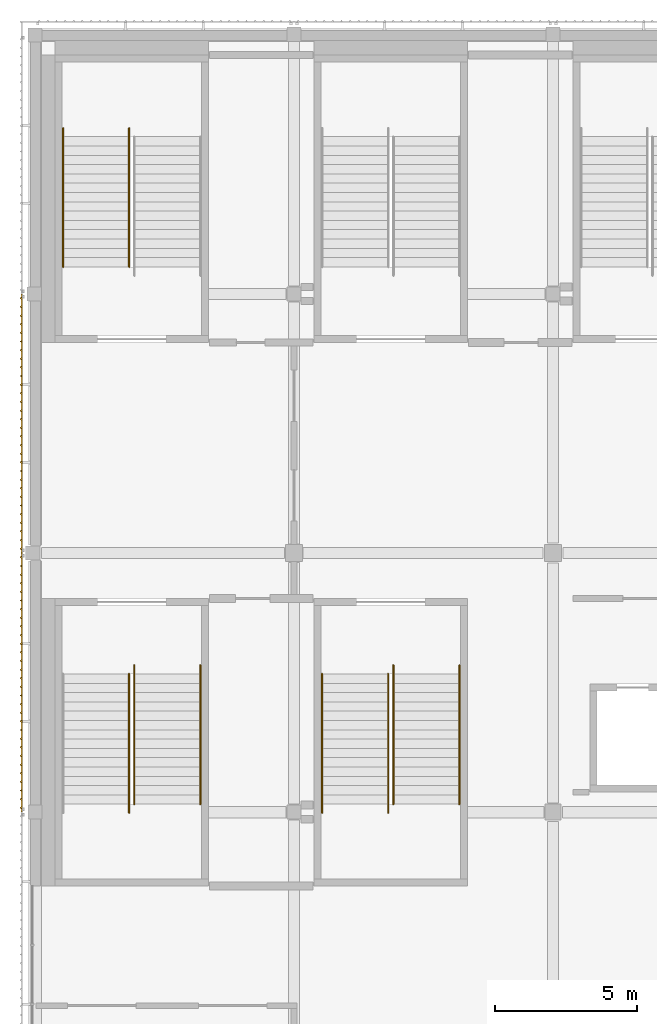
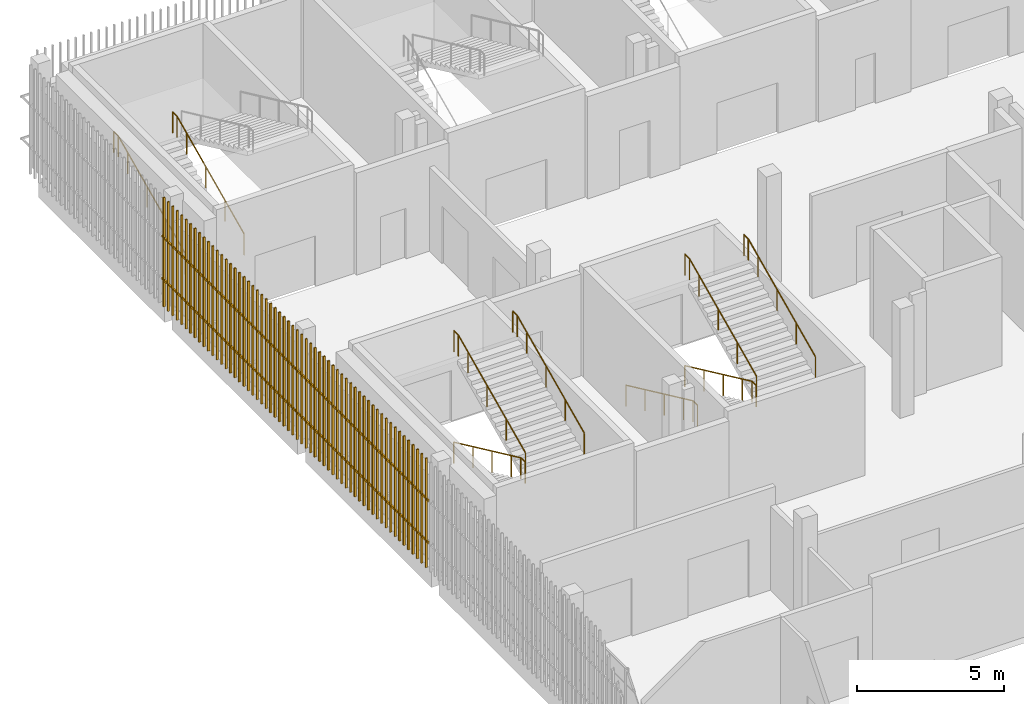
# One storey, part 110 of 124: 9 railings, 2 shading devices.
"""IFC4 building model written with IfcOpenShell, lengths in metres."""

from ifc_helpers import new_model, si_unit, direction, frame, origin, origin_2d, place, context, subcontext, project, spatial, rectangle, circle, extrude, material, type_object, element, save


model = new_model("IFC4")

# Units and contexts
model_context = context("Model", 3, precision=1e-05, world=origin(), true_north=direction((0.0, 1.0)))
body_context = subcontext(model_context, "Body", "Model", "MODEL_VIEW")
ifc_project = project(units=[si_unit("LENGTHUNIT", "METRE"), si_unit("AREAUNIT", "SQUARE_METRE"), si_unit("VOLUMEUNIT", "CUBIC_METRE"), si_unit("PLANEANGLEUNIT", "RADIAN"), si_unit("MASSUNIT", "GRAM", prefix="KILO")], contexts=[model_context])

# Site, building, storey
site_placement = place(None, origin())
site = spatial("IfcSite", under=ifc_project, at=site_placement, CompositionType="ELEMENT")
building_placement = place(site_placement, origin())
building = spatial("IfcBuilding", under=site, at=building_placement, Name="Shirokan Park Arena", CompositionType="ELEMENT")
storey_placement = place(building_placement, frame((0.0, 0.0, 20.02001953125)))
storey = spatial("IfcBuildingStorey", under=building, at=storey_placement, Name="L04", CompositionType="ELEMENT", Elevation=20.02001953125)

# Railings
ifc_material_1 = material(Name="Stainless steel", Category="steel")
railing_type = type_object("IfcRailingType", Name="Stair handrail 900", PredefinedType="HANDRAIL", material=ifc_material_1)
railing_1_placement = place(storey_placement, frame((0.989990234375, 101.050048828125, 0.151611328125)))
element("IfcRailing", 1, at=railing_1_placement, inside=storey, type_object=railing_type, Name="Handrail Exit Stair 4.A L04 to L05", PredefinedType="HANDRAIL", context=body_context, shape_type="SweptSolid", body=[
    extrude(circle(Radius=0.02392578125, at=origin_2d()), frame((0.0, 0.0, 0.8759765625), z_axis=(0.0, 0.906999720516, 0.421131222998), x_axis=(-1.0, 0.0, 0.0)), (0.0, 0.0, 1.0), 1.440673828125),
    extrude(circle(Radius=0.02392578125, at=origin_2d()), frame((0.0, 1.306640625, 1.482421875), z_axis=(0.0, 0.907029769225, 0.421066500378), x_axis=(-1.0, 0.0, 0.0)), (0.0, 0.0, 1.0), 1.44091796875),
    extrude(circle(Radius=0.02392578125, at=origin_2d()), frame((0.0, 2.613525390625, 2.08935546875), z_axis=(0.0, 0.907029769225, 0.421066500378), x_axis=(-1.0, 0.0, 0.0)), (0.0, 0.0, 1.0), 1.44091796875),
    extrude(circle(Radius=0.02392578125, at=origin_2d()), frame((0.0, 3.92041015625, 2.69580078125), z_axis=(0.0, 0.907064445915, 0.420991794405), x_axis=(-1.0, 0.0, 0.0)), (0.0, 0.0, 1.0), 0.72021484375),
    extrude(circle(Radius=0.02392578125, at=origin_2d()), frame((0.0, 4.57373046875, 2.9990234375), z_axis=(0.0, 1.0, 0.0), x_axis=(-1.0, 0.0, 0.0)), (0.0, 0.0, 1.0), 0.300048828125),
    extrude(circle(Radius=0.02099609375, at=origin_2d()), origin(), (0.0, 0.0, 1.0), 0.851806640625),
    extrude(circle(Radius=0.02099609375, at=origin_2d()), frame((0.0, 1.306640625, 0.606689453125)), (0.0, 0.0, 1.0), 0.851806640625),
    extrude(circle(Radius=0.02099609375, at=origin_2d()), frame((0.0, 2.613525390625, 1.21337890625)), (0.0, 0.0, 1.0), 0.851806640625),
    extrude(circle(Radius=0.02099609375, at=origin_2d()), frame((0.0, 3.92041015625, 1.820068359375)), (0.0, 0.0, 1.0), 0.851806640625),
    extrude(circle(Radius=0.02099609375, at=origin_2d()), frame((0.0, 4.57373046875, 2.123291015625)), (0.0, 0.0, 1.0), 0.851806640625),
    extrude(circle(Radius=0.02099609375, at=origin_2d()), frame((0.0, 4.873779296875, 2.123291015625)), (0.0, 0.0, 1.0), 0.851806640625),
])
railing_2_placement = place(storey_placement, frame((3.31005859375, 101.050048828125, 0.151611328125)))
element("IfcRailing", 2, at=railing_2_placement, inside=storey, type_object=railing_type, Name="Handrail Exit Stair 4.A L04 to L05", PredefinedType="HANDRAIL", context=body_context, shape_type="SweptSolid", body=[
    extrude(circle(Radius=0.02392578125, at=origin_2d()), frame((0.0, 0.0, 0.8759765625), z_axis=(0.0, 0.906999720516, 0.421131222998), x_axis=(-1.0, 0.0, 0.0)), (0.0, 0.0, 1.0), 1.440673828125),
    extrude(circle(Radius=0.02392578125, at=origin_2d()), frame((0.0, 1.306640625, 1.482421875), z_axis=(0.0, 0.907029769225, 0.421066500378), x_axis=(-1.0, 0.0, 0.0)), (0.0, 0.0, 1.0), 1.44091796875),
    extrude(circle(Radius=0.02392578125, at=origin_2d()), frame((0.0, 2.613525390625, 2.08935546875), z_axis=(0.0, 0.907029769225, 0.421066500378), x_axis=(-1.0, 0.0, 0.0)), (0.0, 0.0, 1.0), 1.44091796875),
    extrude(circle(Radius=0.02392578125, at=origin_2d()), frame((0.0, 3.92041015625, 2.69580078125), z_axis=(0.0, 0.907064445915, 0.420991794405), x_axis=(-1.0, 0.0, 0.0)), (0.0, 0.0, 1.0), 0.72021484375),
    extrude(circle(Radius=0.02392578125, at=origin_2d()), frame((0.0, 4.57373046875, 2.9990234375), z_axis=(0.0, 1.0, 0.0), x_axis=(-1.0, 0.0, 0.0)), (0.0, 0.0, 1.0), 0.300048828125),
    extrude(circle(Radius=0.02099609375, at=origin_2d()), origin(), (0.0, 0.0, 1.0), 0.851806640625),
    extrude(circle(Radius=0.02099609375, at=origin_2d()), frame((0.0, 1.306640625, 0.606689453125)), (0.0, 0.0, 1.0), 0.851806640625),
    extrude(circle(Radius=0.02099609375, at=origin_2d()), frame((0.0, 2.613525390625, 1.21337890625)), (0.0, 0.0, 1.0), 0.851806640625),
    extrude(circle(Radius=0.02099609375, at=origin_2d()), frame((0.0, 3.92041015625, 1.820068359375)), (0.0, 0.0, 1.0), 0.851806640625),
    extrude(circle(Radius=0.02099609375, at=origin_2d()), frame((0.0, 4.57373046875, 2.123291015625)), (0.0, 0.0, 1.0), 0.851806640625),
    extrude(circle(Radius=0.02099609375, at=origin_2d()), frame((0.0, 4.873779296875, 2.123291015625)), (0.0, 0.0, 1.0), 0.851806640625),
])
railing_3_placement = place(storey_placement, frame((3.31005859375, 86.75, 0.151611328125)))
element("IfcRailing", 3, at=railing_3_placement, inside=storey, type_object=railing_type, Name="Handrail Exit Stair 4.E L04 to L05", PredefinedType="HANDRAIL", context=body_context, shape_type="SweptSolid", body=[
    extrude(circle(Radius=0.02392578125, at=origin_2d()), frame((0.0, 0.0, 0.8759765625), z_axis=(0.0, -0.907029769225, 0.421066500378), x_axis=(1.0, 0.0, 0.0)), (0.0, 0.0, 1.0), 1.44091796875),
    extrude(circle(Radius=0.02392578125, at=origin_2d()), frame((0.0, -1.306884765625, 1.482421875), z_axis=(0.0, -0.906999720516, 0.421131222998), x_axis=(1.0, 0.0, 0.0)), (0.0, 0.0, 1.0), 1.440673828125),
    extrude(circle(Radius=0.02392578125, at=origin_2d()), frame((0.0, -2.613525390625, 2.08935546875), z_axis=(0.0, -0.907029769225, 0.421066500378), x_axis=(1.0, 0.0, 0.0)), (0.0, 0.0, 1.0), 1.44091796875),
    extrude(circle(Radius=0.02392578125, at=origin_2d()), frame((0.0, -3.92041015625, 2.69580078125), z_axis=(0.0, -0.907064445915, 0.420991794405), x_axis=(1.0, 0.0, 0.0)), (0.0, 0.0, 1.0), 0.72021484375),
    extrude(circle(Radius=0.02392578125, at=origin_2d()), frame((0.0, -4.57373046875, 2.9990234375), z_axis=(0.0, -1.0, 0.0), x_axis=(1.0, 0.0, 0.0)), (0.0, 0.0, 1.0), 0.300048828125),
    extrude(circle(Radius=0.02099609375, at=origin_2d()), origin(), (0.0, 0.0, 1.0), 0.851806640625),
    extrude(circle(Radius=0.02099609375, at=origin_2d()), frame((0.0, -1.306884765625, 0.606689453125)), (0.0, 0.0, 1.0), 0.851806640625),
    extrude(circle(Radius=0.02099609375, at=origin_2d()), frame((0.0, -2.613525390625, 1.21337890625)), (0.0, 0.0, 1.0), 0.851806640625),
    extrude(circle(Radius=0.02099609375, at=origin_2d()), frame((0.0, -3.92041015625, 1.820068359375)), (0.0, 0.0, 1.0), 0.851806640625),
    extrude(circle(Radius=0.02099609375, at=origin_2d()), frame((0.0, -4.57373046875, 2.123291015625)), (0.0, 0.0, 1.0), 0.851806640625),
    extrude(circle(Radius=0.02099609375, at=origin_2d()), frame((0.0, -4.873779296875, 2.123291015625)), (0.0, 0.0, 1.0), 0.851806640625),
])
railing_4_placement = place(storey_placement, frame((3.489990234375, 82.17626953125, 2.4267578125)))
element("IfcRailing", 4, at=railing_4_placement, inside=storey, type_object=railing_type, Name="Handrail Exit Stair 4.E L04 to L05", PredefinedType="HANDRAIL", context=body_context, shape_type="SweptSolid", body=[
    extrude(circle(Radius=0.02392578125, at=origin_2d()), frame((0.0, 0.0, 0.8759765625), z_axis=(0.0, 0.907064445915, 0.420991794405), x_axis=(-1.0, 0.0, 0.0)), (0.0, 0.0, 1.0), 1.4404296875),
    extrude(circle(Radius=0.02392578125, at=origin_2d()), frame((0.0, 1.306640625, 1.482421875), z_axis=(0.0, 0.907029769225, 0.421066500378), x_axis=(-1.0, 0.0, 0.0)), (0.0, 0.0, 1.0), 1.44091796875),
    extrude(circle(Radius=0.02392578125, at=origin_2d()), frame((0.0, 2.613525390625, 2.0888671875), z_axis=(0.0, 0.907029769225, 0.421066500378), x_axis=(-1.0, 0.0, 0.0)), (0.0, 0.0, 1.0), 1.44091796875),
    extrude(circle(Radius=0.02392578125, at=origin_2d()), frame((0.0, 3.92041015625, 2.69580078125), z_axis=(0.0, 0.906934982928, 0.421270621741), x_axis=(-1.0, 0.0, 0.0)), (0.0, 0.0, 1.0), 0.720458984375),
    extrude(circle(Radius=0.02392578125, at=origin_2d()), frame((0.0, 4.57373046875, 2.9990234375), z_axis=(0.0, 1.0, 0.0), x_axis=(-1.0, 0.0, 0.0)), (0.0, 0.0, 1.0), 0.300048828125),
    extrude(circle(Radius=0.02099609375, at=origin_2d()), origin(), (0.0, 0.0, 1.0), 0.851806640625),
    extrude(circle(Radius=0.02099609375, at=origin_2d()), frame((0.0, 1.306640625, 0.6064453125)), (0.0, 0.0, 1.0), 0.851806640625),
    extrude(circle(Radius=0.02099609375, at=origin_2d()), frame((0.0, 2.613525390625, 1.213134765625)), (0.0, 0.0, 1.0), 0.851806640625),
    extrude(circle(Radius=0.02099609375, at=origin_2d()), frame((0.0, 3.92041015625, 1.81982421875)), (0.0, 0.0, 1.0), 0.851806640625),
    extrude(circle(Radius=0.02099609375, at=origin_2d()), frame((0.0, 4.57373046875, 2.123291015625)), (0.0, 0.0, 1.0), 0.851806640625),
    extrude(circle(Radius=0.02099609375, at=origin_2d()), frame((0.0, 4.873779296875, 2.123291015625)), (0.0, 0.0, 1.0), 0.851806640625),
])
railing_5_placement = place(storey_placement, frame((5.81005859375, 82.17626953125, 2.4267578125)))
element("IfcRailing", 5, at=railing_5_placement, inside=storey, type_object=railing_type, Name="Handrail Exit Stair 4.E L04 to L05", PredefinedType="HANDRAIL", context=body_context, shape_type="SweptSolid", body=[
    extrude(circle(Radius=0.02392578125, at=origin_2d()), frame((0.0, 0.0, 0.8759765625), z_axis=(0.0, 0.907064445915, 0.420991794405), x_axis=(-1.0, 0.0, 0.0)), (0.0, 0.0, 1.0), 1.4404296875),
    extrude(circle(Radius=0.02392578125, at=origin_2d()), frame((0.0, 1.306640625, 1.482421875), z_axis=(0.0, 0.907029769225, 0.421066500378), x_axis=(-1.0, 0.0, 0.0)), (0.0, 0.0, 1.0), 1.44091796875),
    extrude(circle(Radius=0.02392578125, at=origin_2d()), frame((0.0, 2.613525390625, 2.0888671875), z_axis=(0.0, 0.907029769225, 0.421066500378), x_axis=(-1.0, 0.0, 0.0)), (0.0, 0.0, 1.0), 1.44091796875),
    extrude(circle(Radius=0.02392578125, at=origin_2d()), frame((0.0, 3.92041015625, 2.69580078125), z_axis=(0.0, 0.906934982928, 0.421270621741), x_axis=(-1.0, 0.0, 0.0)), (0.0, 0.0, 1.0), 0.720458984375),
    extrude(circle(Radius=0.02392578125, at=origin_2d()), frame((0.0, 4.57373046875, 2.9990234375), z_axis=(0.0, 1.0, 0.0), x_axis=(-1.0, 0.0, 0.0)), (0.0, 0.0, 1.0), 0.300048828125),
    extrude(circle(Radius=0.02099609375, at=origin_2d()), origin(), (0.0, 0.0, 1.0), 0.851806640625),
    extrude(circle(Radius=0.02099609375, at=origin_2d()), frame((0.0, 1.306640625, 0.6064453125)), (0.0, 0.0, 1.0), 0.851806640625),
    extrude(circle(Radius=0.02099609375, at=origin_2d()), frame((0.0, 2.613525390625, 1.213134765625)), (0.0, 0.0, 1.0), 0.851806640625),
    extrude(circle(Radius=0.02099609375, at=origin_2d()), frame((0.0, 3.92041015625, 1.81982421875)), (0.0, 0.0, 1.0), 0.851806640625),
    extrude(circle(Radius=0.02099609375, at=origin_2d()), frame((0.0, 4.57373046875, 2.123291015625)), (0.0, 0.0, 1.0), 0.851806640625),
    extrude(circle(Radius=0.02099609375, at=origin_2d()), frame((0.0, 4.873779296875, 2.123291015625)), (0.0, 0.0, 1.0), 0.851806640625),
])
railing_6_placement = place(storey_placement, frame((10.090087890625, 86.75, 0.151611328125)))
element("IfcRailing", 6, at=railing_6_placement, inside=storey, type_object=railing_type, Name="Handrail Exit Stair 4.F L04 to L05", PredefinedType="HANDRAIL", context=body_context, shape_type="SweptSolid", body=[
    extrude(circle(Radius=0.02392578125, at=origin_2d()), frame((0.0, 0.0, 0.8759765625), z_axis=(0.0, -0.907029769225, 0.421066500378), x_axis=(1.0, 0.0, 0.0)), (0.0, 0.0, 1.0), 1.44091796875),
    extrude(circle(Radius=0.02392578125, at=origin_2d()), frame((0.0, -1.306884765625, 1.482421875), z_axis=(0.0, -0.906999720516, 0.421131222998), x_axis=(1.0, 0.0, 0.0)), (0.0, 0.0, 1.0), 1.440673828125),
    extrude(circle(Radius=0.02392578125, at=origin_2d()), frame((0.0, -2.613525390625, 2.08935546875), z_axis=(0.0, -0.907029769225, 0.421066500378), x_axis=(1.0, 0.0, 0.0)), (0.0, 0.0, 1.0), 1.44091796875),
    extrude(circle(Radius=0.02392578125, at=origin_2d()), frame((0.0, -3.92041015625, 2.69580078125), z_axis=(0.0, -0.907064445915, 0.420991794405), x_axis=(1.0, 0.0, 0.0)), (0.0, 0.0, 1.0), 0.72021484375),
    extrude(circle(Radius=0.02392578125, at=origin_2d()), frame((0.0, -4.57373046875, 2.9990234375), z_axis=(0.0, -1.0, 0.0), x_axis=(1.0, 0.0, 0.0)), (0.0, 0.0, 1.0), 0.300048828125),
    extrude(circle(Radius=0.02099609375, at=origin_2d()), origin(), (0.0, 0.0, 1.0), 0.851806640625),
    extrude(circle(Radius=0.02099609375, at=origin_2d()), frame((0.0, -1.306884765625, 0.606689453125)), (0.0, 0.0, 1.0), 0.851806640625),
    extrude(circle(Radius=0.02099609375, at=origin_2d()), frame((0.0, -2.613525390625, 1.21337890625)), (0.0, 0.0, 1.0), 0.851806640625),
    extrude(circle(Radius=0.02099609375, at=origin_2d()), frame((0.0, -3.92041015625, 1.820068359375)), (0.0, 0.0, 1.0), 0.851806640625),
    extrude(circle(Radius=0.02099609375, at=origin_2d()), frame((0.0, -4.57373046875, 2.123291015625)), (0.0, 0.0, 1.0), 0.851806640625),
    extrude(circle(Radius=0.02099609375, at=origin_2d()), frame((0.0, -4.873779296875, 2.123291015625)), (0.0, 0.0, 1.0), 0.851806640625),
])
railing_7_placement = place(storey_placement, frame((12.409912109375, 86.75, 0.151611328125)))
element("IfcRailing", 7, at=railing_7_placement, inside=storey, type_object=railing_type, Name="Handrail Exit Stair 4.F L04 to L05", PredefinedType="HANDRAIL", context=body_context, shape_type="SweptSolid", body=[
    extrude(circle(Radius=0.02392578125, at=origin_2d()), frame((0.0, 0.0, 0.8759765625), z_axis=(0.0, -0.907029769225, 0.421066500378), x_axis=(1.0, 0.0, 0.0)), (0.0, 0.0, 1.0), 1.44091796875),
    extrude(circle(Radius=0.02392578125, at=origin_2d()), frame((0.0, -1.306884765625, 1.482421875), z_axis=(0.0, -0.906999720516, 0.421131222998), x_axis=(1.0, 0.0, 0.0)), (0.0, 0.0, 1.0), 1.440673828125),
    extrude(circle(Radius=0.02392578125, at=origin_2d()), frame((0.0, -2.613525390625, 2.08935546875), z_axis=(0.0, -0.907029769225, 0.421066500378), x_axis=(1.0, 0.0, 0.0)), (0.0, 0.0, 1.0), 1.44091796875),
    extrude(circle(Radius=0.02392578125, at=origin_2d()), frame((0.0, -3.92041015625, 2.69580078125), z_axis=(0.0, -0.907064445915, 0.420991794405), x_axis=(1.0, 0.0, 0.0)), (0.0, 0.0, 1.0), 0.72021484375),
    extrude(circle(Radius=0.02392578125, at=origin_2d()), frame((0.0, -4.57373046875, 2.9990234375), z_axis=(0.0, -1.0, 0.0), x_axis=(1.0, 0.0, 0.0)), (0.0, 0.0, 1.0), 0.300048828125),
    extrude(circle(Radius=0.02099609375, at=origin_2d()), origin(), (0.0, 0.0, 1.0), 0.851806640625),
    extrude(circle(Radius=0.02099609375, at=origin_2d()), frame((0.0, -1.306884765625, 0.606689453125)), (0.0, 0.0, 1.0), 0.851806640625),
    extrude(circle(Radius=0.02099609375, at=origin_2d()), frame((0.0, -2.613525390625, 1.21337890625)), (0.0, 0.0, 1.0), 0.851806640625),
    extrude(circle(Radius=0.02099609375, at=origin_2d()), frame((0.0, -3.92041015625, 1.820068359375)), (0.0, 0.0, 1.0), 0.851806640625),
    extrude(circle(Radius=0.02099609375, at=origin_2d()), frame((0.0, -4.57373046875, 2.123291015625)), (0.0, 0.0, 1.0), 0.851806640625),
    extrude(circle(Radius=0.02099609375, at=origin_2d()), frame((0.0, -4.873779296875, 2.123291015625)), (0.0, 0.0, 1.0), 0.851806640625),
])
railing_8_placement = place(storey_placement, frame((12.590087890625, 82.17626953125, 2.4267578125)))
element("IfcRailing", 8, at=railing_8_placement, inside=storey, type_object=railing_type, Name="Handrail Exit Stair 4.F L04 to L05", PredefinedType="HANDRAIL", context=body_context, shape_type="SweptSolid", body=[
    extrude(circle(Radius=0.02392578125, at=origin_2d()), frame((0.0, 0.0, 0.8759765625), z_axis=(0.0, 0.907064445915, 0.420991794405), x_axis=(-1.0, 0.0, 0.0)), (0.0, 0.0, 1.0), 1.4404296875),
    extrude(circle(Radius=0.02392578125, at=origin_2d()), frame((0.0, 1.306640625, 1.482421875), z_axis=(0.0, 0.907029769225, 0.421066500378), x_axis=(-1.0, 0.0, 0.0)), (0.0, 0.0, 1.0), 1.44091796875),
    extrude(circle(Radius=0.02392578125, at=origin_2d()), frame((0.0, 2.613525390625, 2.0888671875), z_axis=(0.0, 0.907029769225, 0.421066500378), x_axis=(-1.0, 0.0, 0.0)), (0.0, 0.0, 1.0), 1.44091796875),
    extrude(circle(Radius=0.02392578125, at=origin_2d()), frame((0.0, 3.92041015625, 2.69580078125), z_axis=(0.0, 0.906934982928, 0.421270621741), x_axis=(-1.0, 0.0, 0.0)), (0.0, 0.0, 1.0), 0.720458984375),
    extrude(circle(Radius=0.02392578125, at=origin_2d()), frame((0.0, 4.57373046875, 2.9990234375), z_axis=(0.0, 1.0, 0.0), x_axis=(-1.0, 0.0, 0.0)), (0.0, 0.0, 1.0), 0.300048828125),
    extrude(circle(Radius=0.02099609375, at=origin_2d()), origin(), (0.0, 0.0, 1.0), 0.851806640625),
    extrude(circle(Radius=0.02099609375, at=origin_2d()), frame((0.0, 1.306640625, 0.6064453125)), (0.0, 0.0, 1.0), 0.851806640625),
    extrude(circle(Radius=0.02099609375, at=origin_2d()), frame((0.0, 2.613525390625, 1.213134765625)), (0.0, 0.0, 1.0), 0.851806640625),
    extrude(circle(Radius=0.02099609375, at=origin_2d()), frame((0.0, 3.92041015625, 1.81982421875)), (0.0, 0.0, 1.0), 0.851806640625),
    extrude(circle(Radius=0.02099609375, at=origin_2d()), frame((0.0, 4.57373046875, 2.123291015625)), (0.0, 0.0, 1.0), 0.851806640625),
    extrude(circle(Radius=0.02099609375, at=origin_2d()), frame((0.0, 4.873779296875, 2.123291015625)), (0.0, 0.0, 1.0), 0.851806640625),
])
railing_9_placement = place(storey_placement, frame((14.909912109375, 82.17626953125, 2.4267578125)))
element("IfcRailing", 9, at=railing_9_placement, inside=storey, type_object=railing_type, Name="Handrail Exit Stair 4.F L04 to L05", PredefinedType="HANDRAIL", context=body_context, shape_type="SweptSolid", body=[
    extrude(circle(Radius=0.02392578125, at=origin_2d()), frame((0.0, 0.0, 0.8759765625), z_axis=(0.0, 0.907064445915, 0.420991794405), x_axis=(-1.0, 0.0, 0.0)), (0.0, 0.0, 1.0), 1.4404296875),
    extrude(circle(Radius=0.02392578125, at=origin_2d()), frame((0.0, 1.306640625, 1.482421875), z_axis=(0.0, 0.907029769225, 0.421066500378), x_axis=(-1.0, 0.0, 0.0)), (0.0, 0.0, 1.0), 1.44091796875),
    extrude(circle(Radius=0.02392578125, at=origin_2d()), frame((0.0, 2.613525390625, 2.0888671875), z_axis=(0.0, 0.907029769225, 0.421066500378), x_axis=(-1.0, 0.0, 0.0)), (0.0, 0.0, 1.0), 1.44091796875),
    extrude(circle(Radius=0.02392578125, at=origin_2d()), frame((0.0, 3.92041015625, 2.69580078125), z_axis=(0.0, 0.906934982928, 0.421270621741), x_axis=(-1.0, 0.0, 0.0)), (0.0, 0.0, 1.0), 0.720458984375),
    extrude(circle(Radius=0.02392578125, at=origin_2d()), frame((0.0, 4.57373046875, 2.9990234375), z_axis=(0.0, 1.0, 0.0), x_axis=(-1.0, 0.0, 0.0)), (0.0, 0.0, 1.0), 0.300048828125),
    extrude(circle(Radius=0.02099609375, at=origin_2d()), origin(), (0.0, 0.0, 1.0), 0.851806640625),
    extrude(circle(Radius=0.02099609375, at=origin_2d()), frame((0.0, 1.306640625, 0.6064453125)), (0.0, 0.0, 1.0), 0.851806640625),
    extrude(circle(Radius=0.02099609375, at=origin_2d()), frame((0.0, 2.613525390625, 1.213134765625)), (0.0, 0.0, 1.0), 0.851806640625),
    extrude(circle(Radius=0.02099609375, at=origin_2d()), frame((0.0, 3.92041015625, 1.81982421875)), (0.0, 0.0, 1.0), 0.851806640625),
    extrude(circle(Radius=0.02099609375, at=origin_2d()), frame((0.0, 4.57373046875, 2.123291015625)), (0.0, 0.0, 1.0), 0.851806640625),
    extrude(circle(Radius=0.02099609375, at=origin_2d()), frame((0.0, 4.873779296875, 2.123291015625)), (0.0, 0.0, 1.0), 0.851806640625),
])

# Shading devices
ifc_material_2 = material(Name="Timber louvre veil (cedar)", Category="wood")
shading_device_type = type_object("IfcShadingDeviceType", Name="Timber louvre veil panel", PredefinedType="JALOUSIE", material=ifc_material_2)
shading_device_1_placement = place(storey_placement, origin())
element("IfcShadingDevice", 10, at=shading_device_1_placement, inside=storey, type_object=shading_device_type, Name="Timber louvre veil west bay 2 L04", PredefinedType="JALOUSIE", context=body_context, shape_type="SweptSolid", body=[
    extrude(rectangle(XDim=0.050048828125, YDim=0.080078125, at=origin_2d()), frame((-0.485107421875, 99.9482421875, 0.0), z_axis=(0.0, 0.0, 1.0), x_axis=(0.0, -1.0, 0.0)), (0.0, 0.0, 1.0), 4.550048828125),
    extrude(rectangle(XDim=0.050048828125, YDim=0.080078125, at=origin_2d()), frame((-0.485107421875, 99.64501953125, 0.0), z_axis=(0.0, 0.0, 1.0), x_axis=(0.0, -1.0, 0.0)), (0.0, 0.0, 1.0), 4.550048828125),
    extrude(rectangle(XDim=0.050048828125, YDim=0.080078125, at=origin_2d()), frame((-0.485107421875, 99.341552734375, 0.0), z_axis=(0.0, 0.0, 1.0), x_axis=(0.0, -1.0, 0.0)), (0.0, 0.0, 1.0), 4.550048828125),
    extrude(rectangle(XDim=0.050048828125, YDim=0.080078125, at=origin_2d()), frame((-0.485107421875, 99.038330078125, 0.0), z_axis=(0.0, 0.0, 1.0), x_axis=(0.0, -1.0, 0.0)), (0.0, 0.0, 1.0), 4.550048828125),
    extrude(rectangle(XDim=0.050048828125, YDim=0.080078125, at=origin_2d()), frame((-0.485107421875, 98.735107421875, 0.0), z_axis=(0.0, 0.0, 1.0), x_axis=(0.0, -1.0, 0.0)), (0.0, 0.0, 1.0), 4.550048828125),
    extrude(rectangle(XDim=0.050048828125, YDim=0.080078125, at=origin_2d()), frame((-0.485107421875, 98.431640625, 0.0), z_axis=(0.0, 0.0, 1.0), x_axis=(0.0, -1.0, 0.0)), (0.0, 0.0, 1.0), 4.550048828125),
    extrude(rectangle(XDim=0.050048828125, YDim=0.080078125, at=origin_2d()), frame((-0.485107421875, 98.12841796875, 0.0), z_axis=(0.0, 0.0, 1.0), x_axis=(0.0, -1.0, 0.0)), (0.0, 0.0, 1.0), 4.550048828125),
    extrude(rectangle(XDim=0.050048828125, YDim=0.080078125, at=origin_2d()), frame((-0.485107421875, 97.824951171875, 0.0), z_axis=(0.0, 0.0, 1.0), x_axis=(0.0, -1.0, 0.0)), (0.0, 0.0, 1.0), 4.550048828125),
    extrude(rectangle(XDim=0.050048828125, YDim=0.080078125, at=origin_2d()), frame((-0.485107421875, 97.521728515625, 0.0), z_axis=(0.0, 0.0, 1.0), x_axis=(0.0, -1.0, 0.0)), (0.0, 0.0, 1.0), 4.550048828125),
    extrude(rectangle(XDim=0.050048828125, YDim=0.080078125, at=origin_2d()), frame((-0.485107421875, 97.21826171875, 0.0), z_axis=(0.0, 0.0, 1.0), x_axis=(0.0, -1.0, 0.0)), (0.0, 0.0, 1.0), 4.550048828125),
    extrude(rectangle(XDim=0.050048828125, YDim=0.080078125, at=origin_2d()), frame((-0.485107421875, 96.9150390625, 0.0), z_axis=(0.0, 0.0, 1.0), x_axis=(0.0, -1.0, 0.0)), (0.0, 0.0, 1.0), 4.550048828125),
    extrude(rectangle(XDim=0.050048828125, YDim=0.080078125, at=origin_2d()), frame((-0.485107421875, 96.611572265625, 0.0), z_axis=(0.0, 0.0, 1.0), x_axis=(0.0, -1.0, 0.0)), (0.0, 0.0, 1.0), 4.550048828125),
    extrude(rectangle(XDim=0.050048828125, YDim=0.080078125, at=origin_2d()), frame((-0.485107421875, 96.308349609375, 0.0), z_axis=(0.0, 0.0, 1.0), x_axis=(0.0, -1.0, 0.0)), (0.0, 0.0, 1.0), 4.550048828125),
    extrude(rectangle(XDim=0.050048828125, YDim=0.080078125, at=origin_2d()), frame((-0.485107421875, 96.0048828125, 0.0), z_axis=(0.0, 0.0, 1.0), x_axis=(0.0, -1.0, 0.0)), (0.0, 0.0, 1.0), 4.550048828125),
    extrude(rectangle(XDim=0.050048828125, YDim=0.080078125, at=origin_2d()), frame((-0.485107421875, 95.70166015625, 0.0), z_axis=(0.0, 0.0, 1.0), x_axis=(0.0, -1.0, 0.0)), (0.0, 0.0, 1.0), 4.550048828125),
    extrude(rectangle(XDim=0.050048828125, YDim=0.080078125, at=origin_2d()), frame((-0.485107421875, 95.3984375, 0.0), z_axis=(0.0, 0.0, 1.0), x_axis=(0.0, -1.0, 0.0)), (0.0, 0.0, 1.0), 4.550048828125),
    extrude(rectangle(XDim=0.050048828125, YDim=0.080078125, at=origin_2d()), frame((-0.485107421875, 95.094970703125, 0.0), z_axis=(0.0, 0.0, 1.0), x_axis=(0.0, -1.0, 0.0)), (0.0, 0.0, 1.0), 4.550048828125),
    extrude(rectangle(XDim=0.050048828125, YDim=0.080078125, at=origin_2d()), frame((-0.485107421875, 94.791748046875, 0.0), z_axis=(0.0, 0.0, 1.0), x_axis=(0.0, -1.0, 0.0)), (0.0, 0.0, 1.0), 4.550048828125),
    extrude(rectangle(XDim=0.050048828125, YDim=0.080078125, at=origin_2d()), frame((-0.485107421875, 94.48828125, 0.0), z_axis=(0.0, 0.0, 1.0), x_axis=(0.0, -1.0, 0.0)), (0.0, 0.0, 1.0), 4.550048828125),
    extrude(rectangle(XDim=0.050048828125, YDim=0.080078125, at=origin_2d()), frame((-0.485107421875, 94.18505859375, 0.0), z_axis=(0.0, 0.0, 1.0), x_axis=(0.0, -1.0, 0.0)), (0.0, 0.0, 1.0), 4.550048828125),
    extrude(rectangle(XDim=0.050048828125, YDim=0.080078125, at=origin_2d()), frame((-0.485107421875, 93.881591796875, 0.0), z_axis=(0.0, 0.0, 1.0), x_axis=(0.0, -1.0, 0.0)), (0.0, 0.0, 1.0), 4.550048828125),
    extrude(rectangle(XDim=0.050048828125, YDim=0.080078125, at=origin_2d()), frame((-0.485107421875, 93.578369140625, 0.0), z_axis=(0.0, 0.0, 1.0), x_axis=(0.0, -1.0, 0.0)), (0.0, 0.0, 1.0), 4.550048828125),
    extrude(rectangle(XDim=0.050048828125, YDim=0.080078125, at=origin_2d()), frame((-0.485107421875, 93.27490234375, 0.0), z_axis=(0.0, 0.0, 1.0), x_axis=(0.0, -1.0, 0.0)), (0.0, 0.0, 1.0), 4.550048828125),
    extrude(rectangle(XDim=0.050048828125, YDim=0.080078125, at=origin_2d()), frame((-0.485107421875, 92.9716796875, 0.0), z_axis=(0.0, 0.0, 1.0), x_axis=(0.0, -1.0, 0.0)), (0.0, 0.0, 1.0), 4.550048828125),
    extrude(rectangle(XDim=0.050048828125, YDim=0.080078125, at=origin_2d()), frame((-0.485107421875, 92.668212890625, 0.0), z_axis=(0.0, 0.0, 1.0), x_axis=(0.0, -1.0, 0.0)), (0.0, 0.0, 1.0), 4.550048828125),
    extrude(rectangle(XDim=0.050048828125, YDim=0.080078125, at=origin_2d()), frame((-0.485107421875, 92.364990234375, 0.0), z_axis=(0.0, 0.0, 1.0), x_axis=(0.0, -1.0, 0.0)), (0.0, 0.0, 1.0), 4.550048828125),
    extrude(rectangle(XDim=0.050048828125, YDim=0.080078125, at=origin_2d()), frame((-0.485107421875, 92.061767578125, 0.0), z_axis=(0.0, 0.0, 1.0), x_axis=(0.0, -1.0, 0.0)), (0.0, 0.0, 1.0), 4.550048828125),
    extrude(rectangle(XDim=0.050048828125, YDim=0.080078125, at=origin_2d()), frame((-0.485107421875, 91.75830078125, 0.0), z_axis=(0.0, 0.0, 1.0), x_axis=(0.0, -1.0, 0.0)), (0.0, 0.0, 1.0), 4.550048828125),
    extrude(rectangle(XDim=0.050048828125, YDim=0.080078125, at=origin_2d()), frame((-0.485107421875, 91.455078125, 0.0), z_axis=(0.0, 0.0, 1.0), x_axis=(0.0, -1.0, 0.0)), (0.0, 0.0, 1.0), 4.550048828125),
    extrude(rectangle(XDim=0.050048828125, YDim=0.080078125, at=origin_2d()), frame((-0.485107421875, 91.151611328125, 0.0), z_axis=(0.0, 0.0, 1.0), x_axis=(0.0, -1.0, 0.0)), (0.0, 0.0, 1.0), 4.550048828125),
    extrude(rectangle(XDim=9.10009765625, YDim=0.050048828125, at=origin_2d()), frame((-0.469970703125, 95.550048828125, 1.06005859375), z_axis=(0.0, 0.0, 1.0), x_axis=(0.0, -1.0, 0.0)), (0.0, 0.0, 1.0), 0.080078125),
    extrude(rectangle(XDim=9.10009765625, YDim=0.050048828125, at=origin_2d()), frame((-0.469970703125, 95.550048828125, 2.81005859375), z_axis=(0.0, 0.0, 1.0), x_axis=(0.0, -1.0, 0.0)), (0.0, 0.0, 1.0), 0.080078125),
])
shading_device_2_placement = place(storey_placement, origin())
element("IfcShadingDevice", 11, at=shading_device_2_placement, inside=storey, type_object=shading_device_type, Name="Timber louvre veil west bay 3 L04", PredefinedType="JALOUSIE", context=body_context, shape_type="SweptSolid", body=[
    extrude(rectangle(XDim=0.050048828125, YDim=0.080078125, at=origin_2d()), frame((-0.485107421875, 90.848388671875, 0.0), z_axis=(0.0, 0.0, 1.0), x_axis=(0.0, -1.0, 0.0)), (0.0, 0.0, 1.0), 4.550048828125),
    extrude(rectangle(XDim=0.050048828125, YDim=0.080078125, at=origin_2d()), frame((-0.485107421875, 90.544921875, 0.0), z_axis=(0.0, 0.0, 1.0), x_axis=(0.0, -1.0, 0.0)), (0.0, 0.0, 1.0), 4.550048828125),
    extrude(rectangle(XDim=0.050048828125, YDim=0.080078125, at=origin_2d()), frame((-0.485107421875, 90.24169921875, 0.0), z_axis=(0.0, 0.0, 1.0), x_axis=(0.0, -1.0, 0.0)), (0.0, 0.0, 1.0), 4.550048828125),
    extrude(rectangle(XDim=0.050048828125, YDim=0.080078125, at=origin_2d()), frame((-0.485107421875, 89.938232421875, 0.0), z_axis=(0.0, 0.0, 1.0), x_axis=(0.0, -1.0, 0.0)), (0.0, 0.0, 1.0), 4.550048828125),
    extrude(rectangle(XDim=0.050048828125, YDim=0.080078125, at=origin_2d()), frame((-0.485107421875, 89.635009765625, 0.0), z_axis=(0.0, 0.0, 1.0), x_axis=(0.0, -1.0, 0.0)), (0.0, 0.0, 1.0), 4.550048828125),
    extrude(rectangle(XDim=0.050048828125, YDim=0.080078125, at=origin_2d()), frame((-0.485107421875, 89.331787109375, 0.0), z_axis=(0.0, 0.0, 1.0), x_axis=(0.0, -1.0, 0.0)), (0.0, 0.0, 1.0), 4.550048828125),
    extrude(rectangle(XDim=0.050048828125, YDim=0.080078125, at=origin_2d()), frame((-0.485107421875, 89.0283203125, 0.0), z_axis=(0.0, 0.0, 1.0), x_axis=(0.0, -1.0, 0.0)), (0.0, 0.0, 1.0), 4.550048828125),
    extrude(rectangle(XDim=0.050048828125, YDim=0.080078125, at=origin_2d()), frame((-0.485107421875, 88.72509765625, 0.0), z_axis=(0.0, 0.0, 1.0), x_axis=(0.0, -1.0, 0.0)), (0.0, 0.0, 1.0), 4.550048828125),
    extrude(rectangle(XDim=0.050048828125, YDim=0.080078125, at=origin_2d()), frame((-0.485107421875, 88.421630859375, 0.0), z_axis=(0.0, 0.0, 1.0), x_axis=(0.0, -1.0, 0.0)), (0.0, 0.0, 1.0), 4.550048828125),
    extrude(rectangle(XDim=0.050048828125, YDim=0.080078125, at=origin_2d()), frame((-0.485107421875, 88.118408203125, 0.0), z_axis=(0.0, 0.0, 1.0), x_axis=(0.0, -1.0, 0.0)), (0.0, 0.0, 1.0), 4.550048828125),
    extrude(rectangle(XDim=0.050048828125, YDim=0.080078125, at=origin_2d()), frame((-0.485107421875, 87.81494140625, 0.0), z_axis=(0.0, 0.0, 1.0), x_axis=(0.0, -1.0, 0.0)), (0.0, 0.0, 1.0), 4.550048828125),
    extrude(rectangle(XDim=0.050048828125, YDim=0.080078125, at=origin_2d()), frame((-0.485107421875, 87.51171875, 0.0), z_axis=(0.0, 0.0, 1.0), x_axis=(0.0, -1.0, 0.0)), (0.0, 0.0, 1.0), 4.550048828125),
    extrude(rectangle(XDim=0.050048828125, YDim=0.080078125, at=origin_2d()), frame((-0.485107421875, 87.208251953125, 0.0), z_axis=(0.0, 0.0, 1.0), x_axis=(0.0, -1.0, 0.0)), (0.0, 0.0, 1.0), 4.550048828125),
    extrude(rectangle(XDim=0.050048828125, YDim=0.080078125, at=origin_2d()), frame((-0.485107421875, 86.905029296875, 0.0), z_axis=(0.0, 0.0, 1.0), x_axis=(0.0, -1.0, 0.0)), (0.0, 0.0, 1.0), 4.550048828125),
    extrude(rectangle(XDim=0.050048828125, YDim=0.080078125, at=origin_2d()), frame((-0.485107421875, 86.6015625, 0.0), z_axis=(0.0, 0.0, 1.0), x_axis=(0.0, -1.0, 0.0)), (0.0, 0.0, 1.0), 4.550048828125),
    extrude(rectangle(XDim=0.050048828125, YDim=0.080078125, at=origin_2d()), frame((-0.485107421875, 86.29833984375, 0.0), z_axis=(0.0, 0.0, 1.0), x_axis=(0.0, -1.0, 0.0)), (0.0, 0.0, 1.0), 4.550048828125),
    extrude(rectangle(XDim=0.050048828125, YDim=0.080078125, at=origin_2d()), frame((-0.485107421875, 85.9951171875, 0.0), z_axis=(0.0, 0.0, 1.0), x_axis=(0.0, -1.0, 0.0)), (0.0, 0.0, 1.0), 4.550048828125),
    extrude(rectangle(XDim=0.050048828125, YDim=0.080078125, at=origin_2d()), frame((-0.485107421875, 85.691650390625, 0.0), z_axis=(0.0, 0.0, 1.0), x_axis=(0.0, -1.0, 0.0)), (0.0, 0.0, 1.0), 4.550048828125),
    extrude(rectangle(XDim=0.050048828125, YDim=0.080078125, at=origin_2d()), frame((-0.485107421875, 85.388427734375, 0.0), z_axis=(0.0, 0.0, 1.0), x_axis=(0.0, -1.0, 0.0)), (0.0, 0.0, 1.0), 4.550048828125),
    extrude(rectangle(XDim=0.050048828125, YDim=0.080078125, at=origin_2d()), frame((-0.485107421875, 85.0849609375, 0.0), z_axis=(0.0, 0.0, 1.0), x_axis=(0.0, -1.0, 0.0)), (0.0, 0.0, 1.0), 4.550048828125),
    extrude(rectangle(XDim=0.050048828125, YDim=0.080078125, at=origin_2d()), frame((-0.485107421875, 84.78173828125, 0.0), z_axis=(0.0, 0.0, 1.0), x_axis=(0.0, -1.0, 0.0)), (0.0, 0.0, 1.0), 4.550048828125),
    extrude(rectangle(XDim=0.050048828125, YDim=0.080078125, at=origin_2d()), frame((-0.485107421875, 84.478271484375, 0.0), z_axis=(0.0, 0.0, 1.0), x_axis=(0.0, -1.0, 0.0)), (0.0, 0.0, 1.0), 4.550048828125),
    extrude(rectangle(XDim=0.050048828125, YDim=0.080078125, at=origin_2d()), frame((-0.485107421875, 84.175048828125, 0.0), z_axis=(0.0, 0.0, 1.0), x_axis=(0.0, -1.0, 0.0)), (0.0, 0.0, 1.0), 4.550048828125),
    extrude(rectangle(XDim=0.050048828125, YDim=0.080078125, at=origin_2d()), frame((-0.485107421875, 83.87158203125, 0.0), z_axis=(0.0, 0.0, 1.0), x_axis=(0.0, -1.0, 0.0)), (0.0, 0.0, 1.0), 4.550048828125),
    extrude(rectangle(XDim=0.050048828125, YDim=0.080078125, at=origin_2d()), frame((-0.485107421875, 83.568359375, 0.0), z_axis=(0.0, 0.0, 1.0), x_axis=(0.0, -1.0, 0.0)), (0.0, 0.0, 1.0), 4.550048828125),
    extrude(rectangle(XDim=0.050048828125, YDim=0.080078125, at=origin_2d()), frame((-0.485107421875, 83.264892578125, 0.0), z_axis=(0.0, 0.0, 1.0), x_axis=(0.0, -1.0, 0.0)), (0.0, 0.0, 1.0), 4.550048828125),
    extrude(rectangle(XDim=0.050048828125, YDim=0.080078125, at=origin_2d()), frame((-0.485107421875, 82.961669921875, 0.0), z_axis=(0.0, 0.0, 1.0), x_axis=(0.0, -1.0, 0.0)), (0.0, 0.0, 1.0), 4.550048828125),
    extrude(rectangle(XDim=0.050048828125, YDim=0.080078125, at=origin_2d()), frame((-0.485107421875, 82.658447265625, 0.0), z_axis=(0.0, 0.0, 1.0), x_axis=(0.0, -1.0, 0.0)), (0.0, 0.0, 1.0), 4.550048828125),
    extrude(rectangle(XDim=0.050048828125, YDim=0.080078125, at=origin_2d()), frame((-0.485107421875, 82.35498046875, 0.0), z_axis=(0.0, 0.0, 1.0), x_axis=(0.0, -1.0, 0.0)), (0.0, 0.0, 1.0), 4.550048828125),
    extrude(rectangle(XDim=0.050048828125, YDim=0.080078125, at=origin_2d()), frame((-0.485107421875, 82.0517578125, 0.0), z_axis=(0.0, 0.0, 1.0), x_axis=(0.0, -1.0, 0.0)), (0.0, 0.0, 1.0), 4.550048828125),
    extrude(rectangle(XDim=9.10009765625, YDim=0.050048828125, at=origin_2d()), frame((-0.469970703125, 86.449951171875, 1.06005859375), z_axis=(0.0, 0.0, 1.0), x_axis=(0.0, -1.0, 0.0)), (0.0, 0.0, 1.0), 0.080078125),
    extrude(rectangle(XDim=9.10009765625, YDim=0.050048828125, at=origin_2d()), frame((-0.469970703125, 86.449951171875, 2.81005859375), z_axis=(0.0, 0.0, 1.0), x_axis=(0.0, -1.0, 0.0)), (0.0, 0.0, 1.0), 0.080078125),
])

save(model, "model.ifc")
